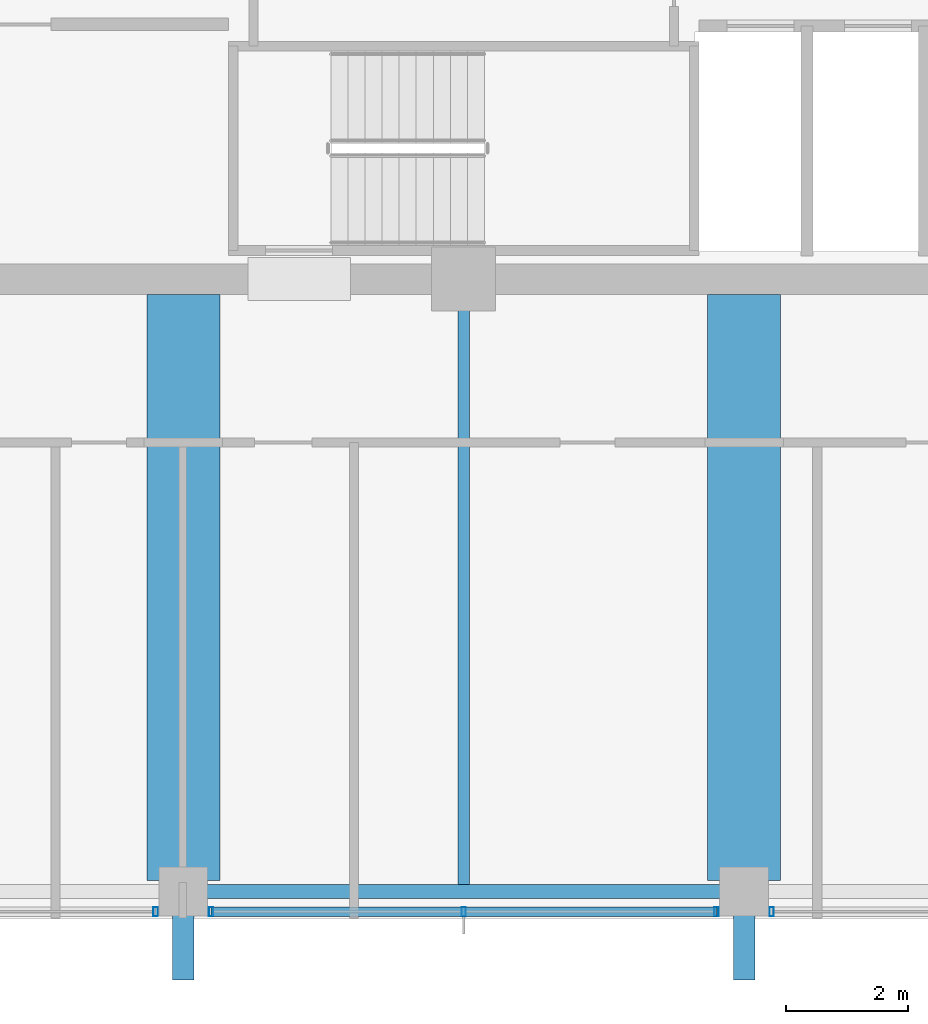
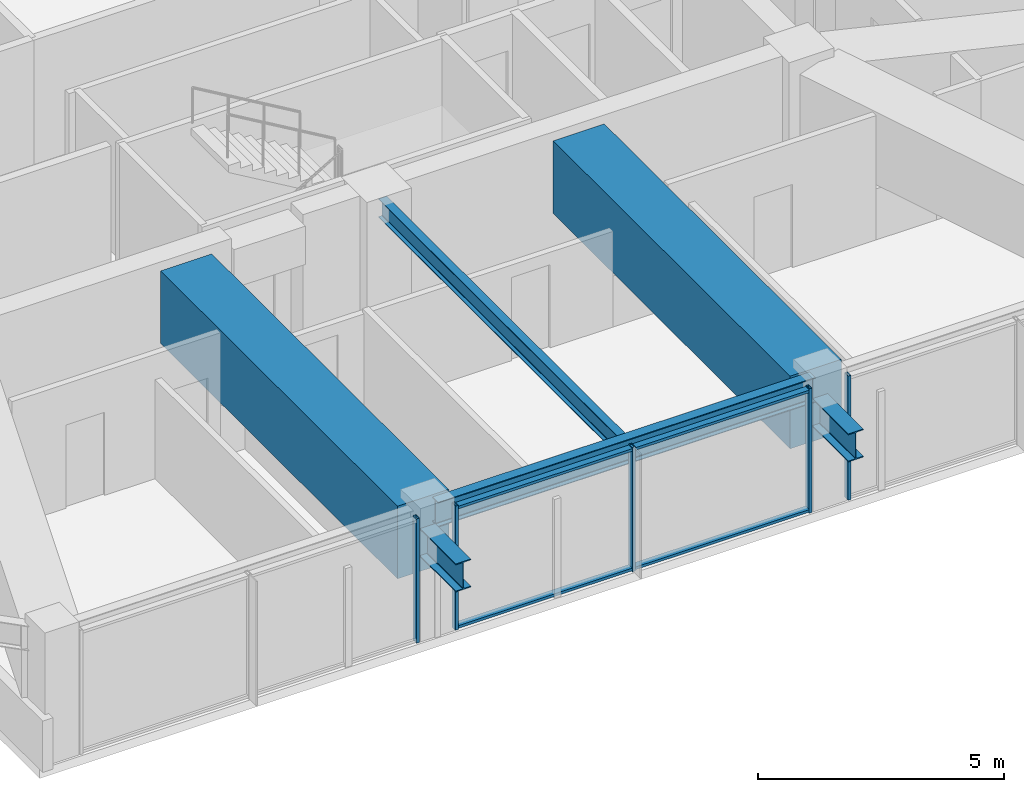
# One storey, part 5 of 35: 7 members, 6 beams, 3 elements without a shape of their own.
"""IFC4 building model written with IfcOpenShell, lengths in metres."""

import ifcopenshell
import ifcopenshell.guid

model = None  # the IFC model being written
_history = None  # IfcOwnerHistory: only IFC2X3 demands one
_inside = {}  # id of a spatial element -> (the spatial element, [elements in it])
_under = {}  # id of a project, library or spatial element -> (it, [spatial elements below it])
_declared = {}  # id of a project -> (the project, [libraries it declares])
_typed = {}  # id of a type object -> (the type object, [elements of that type])
_made_of = {}  # id of a material, layer set ... -> (it, [elements and type objects made of it])


def new_model(schema):
    """Start an empty IFC model of exactly this schema.

    Asked for "IFC4X3", IfcOpenShell would pick the latest addendum, in which some entities
    have other attributes; the version numbers below select the first issue.
    IFC2X3 requires an IfcOwnerHistory on every rooted entity: one is made here for all.
    """
    global model, _history
    if schema == "IFC4X3":
        model = ifcopenshell.file(schema_version=(4, 3, 0, 0))
    else:
        model = ifcopenshell.file(schema=schema)
    _inside.clear()
    _under.clear()
    _declared.clear()
    _typed.clear()
    _made_of.clear()
    _history = None
    if model.schema == "IFC2X3":
        org = make("IfcOrganization", Name="unknown")
        user = make(
            "IfcPersonAndOrganization",
            ThePerson=make("IfcPerson", FamilyName="unknown"),
            TheOrganization=org,
        )
        app = make(
            "IfcApplication",
            ApplicationDeveloper=org,
            Version="unknown",
            ApplicationFullName="unknown",
            ApplicationIdentifier="unknown",
        )
        _history = make(
            "IfcOwnerHistory",
            OwningUser=user,
            OwningApplication=app,
            ChangeAction="ADDED",
            CreationDate=0,
        )
    return model


def make(cls, **values):
    """One entity of the class cls with the attributes given. An attribute that is None is left unset."""
    return model.create_entity(
        cls, **{name: value for name, value in values.items() if value is not None}
    )


def rooted(cls, **values):
    """An entity with a GlobalId (a new one), such as an element, a storey or a relation."""
    return make(cls, GlobalId=ifcopenshell.guid.new(), OwnerHistory=_history, **values)


def si_unit(unit_type, name, prefix=None):
    """IfcSIUnit, for example si_unit("LENGTHUNIT", "METRE", prefix="MILLI")."""
    return make("IfcSIUnit", UnitType=unit_type, Prefix=prefix, Name=name)


def assignment(units):
    """IfcUnitAssignment: the units of a project."""
    return None if units is None else make("IfcUnitAssignment", Units=units)


def point(xyz):
    """IfcCartesianPoint."""
    return None if xyz is None else make("IfcCartesianPoint", Coordinates=xyz)


def direction(xyz):
    """IfcDirection."""
    return None if xyz is None else make("IfcDirection", DirectionRatios=xyz)


def frame(location, z_axis=None, x_axis=None):
    """IfcAxis2Placement3D, a coordinate frame: its origin and axes. An axis left out is left unset."""
    return make(
        "IfcAxis2Placement3D",
        Location=point(location),
        Axis=direction(z_axis),
        RefDirection=direction(x_axis),
    )


def frame_2d(location, x_axis=None):
    """IfcAxis2Placement2D, a coordinate frame in the plane: its origin and x axis."""
    return make(
        "IfcAxis2Placement2D", Location=point(location), RefDirection=direction(x_axis)
    )


def origin():
    """The frame at (0, 0, 0) with its axes left unset."""
    return frame((0.0, 0.0, 0.0))


def origin_2d():
    """The frame at (0, 0) in the plane with its x axis left unset."""
    return frame_2d((0.0, 0.0))


def place(relative_to, where):
    """IfcLocalPlacement: puts the frame where relative to a parent placement (None: the world)."""
    return make(
        "IfcLocalPlacement", PlacementRelTo=relative_to, RelativePlacement=where
    )


def context(
    kind, dimensions, precision=None, world=None, true_north=None, identifier=None
):
    """IfcGeometricRepresentationContext, for example the 3D "Model" context."""
    return make(
        "IfcGeometricRepresentationContext",
        ContextIdentifier=identifier,
        ContextType=kind,
        CoordinateSpaceDimension=dimensions,
        Precision=precision,
        WorldCoordinateSystem=world,
        TrueNorth=true_north,
    )


def subcontext(parent, identifier, kind, view, scale=None):
    """IfcGeometricRepresentationSubContext, for example "Body" below "Model"."""
    return make(
        "IfcGeometricRepresentationSubContext",
        ContextIdentifier=identifier,
        ContextType=kind,
        ParentContext=parent,
        TargetScale=scale,
        TargetView=view,
    )


def project(units=None, contexts=None):
    """IfcProject with its units and contexts."""
    return rooted(
        "IfcProject",
        Name="project",
        RepresentationContexts=contexts,
        UnitsInContext=assignment(units),
    )


def spatial(cls, under=None, at=None, **own):
    """A site, building, storey or space (cls), placed at a placement, below another one or the project."""
    s = rooted(cls, ObjectPlacement=at, **own)
    if under is not None:
        _under.setdefault(under.id(), (under, []))[1].append(s)
    return s


def profile(cls, at=None, kind="AREA", **sizes):
    """A parametric profile (cls). Its sizes go by their IFC names, for example OverallWidth=200.0."""
    return make(cls, ProfileType=kind, Position=at, **sizes)


def rectangle(**sizes):
    """IfcRectangleProfileDef."""
    return profile("IfcRectangleProfileDef", **sizes)


def hollow_rectangle(**sizes):
    """IfcRectangleHollowProfileDef."""
    return profile("IfcRectangleHollowProfileDef", **sizes)


def i_section(**sizes):
    """IfcIShapeProfileDef."""
    return profile("IfcIShapeProfileDef", **sizes)


def extrude(swept, where, along, depth):
    """IfcExtrudedAreaSolid: the profile swept, set in the frame where, extruded along a direction by depth."""
    return make(
        "IfcExtrudedAreaSolid",
        SweptArea=swept,
        Position=where,
        ExtrudedDirection=direction(along),
        Depth=depth,
    )


def shape(context_of_items, identifier, shape_type, items):
    """IfcShapeRepresentation: the items that make up one representation, for example the "Body"."""
    return make(
        "IfcShapeRepresentation",
        ContextOfItems=context_of_items,
        RepresentationIdentifier=identifier,
        RepresentationType=shape_type,
        Items=items,
    )


def material(Name=None, Category=None):
    """IfcMaterial."""
    return make("IfcMaterial", Name=Name, Category=Category)


def material_profile(
    of_material, cross_section, Name=None, Category=None, Priority=None
):
    """IfcMaterialProfile: a cross section and its material."""
    return make(
        "IfcMaterialProfile",
        Name=Name,
        Material=of_material,
        Profile=cross_section,
        Priority=Priority,
        Category=Category,
    )


def profile_set(profiles, Name=None, composite=None):
    """IfcMaterialProfileSet."""
    return make(
        "IfcMaterialProfileSet",
        Name=Name,
        MaterialProfiles=profiles,
        CompositeProfile=composite,
    )


def made_of(thing, what):
    """Note that an element or type object is made of a material, layer set ...; save() writes the relation."""
    if what is not None:
        _made_of.setdefault(what.id(), (what, []))[1].append(thing)
    return thing


def type_object(cls, material=None, **own):
    """A type object (cls), such as IfcWallType, which elements share."""
    return made_of(rooted(cls, **own), material)


def element(
    cls,
    number,
    at=None,
    inside=None,
    cuts=None,
    type_object=None,
    material=None,
    context=None,
    identifier="Body",
    shape_type=None,
    held_by="IfcProductDefinitionShape",
    body=None,
    shapes=None,
    **own,
):
    """One element of the class cls, such as IfcWall. Its Tag is "e" and its number.

    at: its placement. inside: the storey or other place that contains it. cuts: it is an
    opening in that element (IfcRelVoidsElement). A single representation is given by context,
    identifier, shape_type and body (its items); several are given by shapes. held_by: the class
    of the entity that holds the representations. save() writes the other relations.
    """
    e = rooted(cls, Tag="e%d" % number, ObjectPlacement=at, **own)
    if body is not None:
        shapes = [shape(context, identifier, shape_type, body)]
    if shapes is not None:
        e.Representation = make(held_by, Representations=shapes)
    if inside is not None:
        _inside.setdefault(inside.id(), (inside, []))[1].append(e)
    if cuts is not None:
        rooted(
            "IfcRelVoidsElement", RelatingBuildingElement=cuts, RelatedOpeningElement=e
        )
    if type_object is not None:
        _typed.setdefault(type_object.id(), (type_object, []))[1].append(e)
    return made_of(e, material)


def aggregate(whole, parts):
    """IfcRelAggregates: a whole, such as a stair, and the parts it consists of."""
    return rooted("IfcRelAggregates", RelatingObject=whole, RelatedObjects=parts)


def save(model, path):
    """Write the relations noted so far, then the file.

    IfcRelAggregates (storeys below a building ...), IfcRelContainedInSpatialStructure (elements
    in a storey), IfcRelDefinesByType, IfcRelAssociatesMaterial and IfcRelDeclares: one each for
    every whole, place, type object, material and project.
    """
    for whole, parts in _under.values():
        aggregate(whole, parts)
    for where, things in _inside.values():
        rooted(
            "IfcRelContainedInSpatialStructure",
            RelatedElements=things,
            RelatingStructure=where,
        )
    for kind, things in _typed.values():
        rooted("IfcRelDefinesByType", RelatedObjects=things, RelatingType=kind)
    for what, things in _made_of.values():
        rooted("IfcRelAssociatesMaterial", RelatedObjects=things, RelatingMaterial=what)
    for by, libraries in _declared.values():
        rooted("IfcRelDeclares", RelatingContext=by, RelatedDefinitions=libraries)
    model.write(path)


model = new_model("IFC4")

# Units and contexts
model_context = context("Model", 3, precision=1e-05, world=origin(), true_north=direction((0.0, 1.0)))
body_context = subcontext(model_context, "Body", "Model", "MODEL_VIEW")
ifc_project = project(units=[si_unit("LENGTHUNIT", "METRE"), si_unit("AREAUNIT", "SQUARE_METRE"), si_unit("VOLUMEUNIT", "CUBIC_METRE"), si_unit("PLANEANGLEUNIT", "RADIAN"), si_unit("MASSUNIT", "GRAM", prefix="KILO")], contexts=[model_context])

# Site, building, storey
site_placement = place(None, origin())
site = spatial("IfcSite", under=ifc_project, at=site_placement, CompositionType="ELEMENT")
building_placement = place(site_placement, origin())
building = spatial("IfcBuilding", under=site, at=building_placement, Name="Kolvaren Belvedere", CompositionType="ELEMENT")
storey_placement = place(building_placement, frame((0.0, 0.0, 203.10009765625)))
storey = spatial("IfcBuildingStorey", under=building, at=storey_placement, Name="L59", CompositionType="ELEMENT", Elevation=203.10009765625)

# Beams
ifc_material_1 = material(Name="Structural steel ASTM A992 Grade 50", Category="steel")
ifc_material_profile_1 = material_profile(ifc_material_1, i_section(OverallWidth=0.35498046875, OverallDepth=0.696044921875, WebThickness=0.015380859375, FlangeThickness=0.02490234375, FilletRadius=0.02197265625, at=origin_2d()), Name="W27X146")
ifc_profile_set_1 = profile_set([ifc_material_profile_1], Name="Structural steel ASTM A992 Grade 50")
beam_type_1 = type_object("IfcBeamType", Name="BM-CANT-BAL", PredefinedType="BEAM", material=ifc_profile_set_1)
for number, where, z_axis, x_axis, name in (
    (1, (4.60009765625, -19.949951171875, 2.141845703125), (0.0, -1.0, 0.0), (1.0, 0.0, 0.0), "L59 South Picture-Frame Column Corbel P"),
    (2, (-4.60009765625, -19.949951171875, 2.141845703125), (0.0, -1.0, 0.0), (1.0, 0.0, 0.0), "L59 South Picture-Frame Column Corbel M"),
):
    element("IfcBeam", number, at=place(storey_placement, frame(where, z_axis=z_axis, x_axis=x_axis)), inside=storey, type_object=beam_type_1, Name=name, PredefinedType="BEAM", context=body_context, shape_type="SweptSolid", body=[
        extrude(i_section(OverallWidth=0.35498046875, OverallDepth=0.696044921875, WebThickness=0.015380859375, FlangeThickness=0.02490234375, FilletRadius=0.02197265625, at=origin_2d()), origin(), (0.0, 0.0, 1.0), 1.449951171875),
    ])
ifc_material_2 = material(Name="Structural steel ASTM A992 Grade 50", Category="steel")
ifc_material_profile_2 = material_profile(ifc_material_2, i_section(OverallWidth=0.19091796875, OverallDepth=0.4599609375, WebThickness=0.010009765625, FlangeThickness=0.01611328125, FilletRadius=0.014892578125, at=origin_2d()), Name="W18X55")
ifc_profile_set_2 = profile_set([ifc_material_profile_2], Name="Structural steel ASTM A992 Grade 50")
beam_type_2 = type_object("IfcBeamType", Name="BM-JOIST-W18X55", PredefinedType="BEAM", material=ifc_profile_set_2)
beam_1_placement = place(storey_placement, frame((0.0, -10.14990234375, 2.849853515625), z_axis=(0.0, -1.0, 0.0), x_axis=(1.0, 0.0, 0.0)))
element("IfcBeam", 3, at=beam_1_placement, inside=storey, type_object=beam_type_2, Name="L59 South Centre Floor Beam", PredefinedType="BEAM", context=body_context, shape_type="SweptSolid", body=[
    extrude(i_section(OverallWidth=0.19091796875, OverallDepth=0.4599609375, WebThickness=0.010009765625, FlangeThickness=0.01611328125, FilletRadius=0.014892578125, at=origin_2d()), origin(), (0.0, 0.0, 1.0), 9.685546875),
])
ifc_material_3 = material(Name="Structural steel ASTM A992 Grade 50", Category="steel")
ifc_material_profile_3 = material_profile(ifc_material_3, i_section(OverallWidth=0.22900390625, OverallDepth=0.612060546875, WebThickness=0.011962890625, FlangeThickness=0.01953125, FilletRadius=0.01806640625, at=origin_2d()), Name="W24X84")
ifc_profile_set_3 = profile_set([ifc_material_profile_3], Name="Structural steel ASTM A992 Grade 50")
beam_type_3 = type_object("IfcBeamType", Name="BM-SPAN-W24X84", PredefinedType="SPANDREL", material=ifc_profile_set_3)
beam_2_placement = place(storey_placement, frame((-4.419921875, -19.949951171875, 2.77392578125), z_axis=(1.0, 0.0, 0.0), x_axis=(0.0, 1.0, 0.0)))
element("IfcBeam", 4, at=beam_2_placement, inside=storey, type_object=beam_type_3, Name="L59 Perimeter Spandrel S2-S3", PredefinedType="SPANDREL", context=body_context, shape_type="SweptSolid", body=[
    extrude(i_section(OverallWidth=0.22900390625, OverallDepth=0.612060546875, WebThickness=0.011962890625, FlangeThickness=0.01953125, FilletRadius=0.01806640625, at=origin_2d()), origin(), (0.0, 0.0, 1.0), 8.83984375),
])
ifc_material_4 = material(Name="Concrete C50/60", Category="concrete")
ifc_material_profile_4 = material_profile(ifc_material_4, rectangle(XDim=1.199951171875, YDim=1.800048828125, at=origin_2d()), Name="RC 1200X1800")
ifc_profile_set_4 = profile_set([ifc_material_profile_4], Name="Concrete C50/60")
beam_type_4 = type_object("IfcBeamType", Name="BM-TG-1800", PredefinedType="BEAM", material=ifc_profile_set_4)
for number, where, z_axis, x_axis, name in (
    (5, (4.60009765625, -10.14990234375, 2.179931640625), (0.0, -1.0, 0.0), (1.0, 0.0, 0.0), "L59 South Radial Girder P"),
    (6, (-4.60009765625, -10.14990234375, 2.179931640625), (0.0, -1.0, 0.0), (1.0, 0.0, 0.0), "L59 South Radial Girder M"),
):
    element("IfcBeam", number, at=place(storey_placement, frame(where, z_axis=z_axis, x_axis=x_axis)), inside=storey, type_object=beam_type_4, Name=name, PredefinedType="BEAM", context=body_context, shape_type="SweptSolid", body=[
        extrude(rectangle(XDim=1.199951171875, YDim=1.800048828125, at=origin_2d()), origin(), (0.0, 0.0, 1.0), 9.6201171875),
    ])

# Curtain wall, member
ifc_material_5 = material(Name="Anodised pale-metal aluminium AA 6063-T6", Category="aluminium")
curtain_wall_type = type_object("IfcCurtainWallType", Name="CW-Z5-HIGH", PredefinedType="NOTDEFINED", material=ifc_material_5)
curtain_wall_1_placement = place(storey_placement, origin())
curtain_wall_1 = element("IfcCurtainWall", 7, at=curtain_wall_1_placement, inside=storey, type_object=curtain_wall_type, Name="L59 Unitised Curtain Wall FCW-L59-S-B1", PredefinedType="NOTDEFINED")
ifc_material_6 = material(Name="Anodised pale-metal aluminium AA 6063-T6", Category="aluminium")
ifc_material_profile_5 = material_profile(ifc_material_6, hollow_rectangle(XDim=0.070068359375, YDim=0.14990234375, WallThickness=0.004150390625, at=origin_2d()), Name="ALU-MUL-150X70")
ifc_profile_set_5 = profile_set([ifc_material_profile_5], Name="Anodised pale-metal aluminium AA 6063-T6")
member_type_1 = type_object("IfcMemberType", Name="CW-MUL-150", PredefinedType="MULLION", material=ifc_profile_set_5)
member_1_placement = place(storey_placement, frame((5.054931640625, -20.280029296875, 0.0), z_axis=(0.0, 0.0, 1.0), x_axis=(1.0, 0.0, 0.0)))
member_1 = element("IfcMember", 8, at=member_1_placement, type_object=member_type_1, Name="FCW-L59-S-B1 Unitised Mullion 3", PredefinedType="MULLION", context=body_context, shape_type="SweptSolid", body=[
    extrude(hollow_rectangle(XDim=0.070068359375, YDim=0.14990234375, WallThickness=0.004150390625, at=origin_2d()), origin(), (0.0, 0.0, 1.0), 3.079833984375),
])
aggregate(curtain_wall_1, [member_1])

# Curtain wall, members
curtain_wall_2_placement = place(storey_placement, origin())
curtain_wall_2 = element("IfcCurtainWall", 9, at=curtain_wall_2_placement, inside=storey, type_object=curtain_wall_type, Name="L59 Unitised Curtain Wall FCW-L59-S-B2", PredefinedType="NOTDEFINED")
member_2_placement = place(storey_placement, frame((4.14501953125, -20.280029296875, 0.0), z_axis=(0.0, 0.0, 1.0), x_axis=(1.0, 0.0, 0.0)))
member_2 = element("IfcMember", 10, at=member_2_placement, type_object=member_type_1, Name="FCW-L59-S-B2 Unitised Mullion 1", PredefinedType="MULLION", context=body_context, shape_type="SweptSolid", body=[
    extrude(hollow_rectangle(XDim=0.070068359375, YDim=0.14990234375, WallThickness=0.004150390625, at=origin_2d()), origin(), (0.0, 0.0, 1.0), 3.079833984375),
])
member_3_placement = place(storey_placement, frame((0.0, -20.280029296875, 0.0), z_axis=(0.0, 0.0, 1.0), x_axis=(1.0, 0.0, 0.0)))
member_3 = element("IfcMember", 11, at=member_3_placement, type_object=member_type_1, Name="FCW-L59-S-B2 Unitised Mullion 2", PredefinedType="MULLION", context=body_context, shape_type="SweptSolid", body=[
    extrude(hollow_rectangle(XDim=0.070068359375, YDim=0.14990234375, WallThickness=0.004150390625, at=origin_2d()), origin(), (0.0, 0.0, 1.0), 3.079833984375),
])
member_4_placement = place(storey_placement, frame((-4.14501953125, -20.280029296875, 0.0), z_axis=(0.0, 0.0, 1.0), x_axis=(1.0, 0.0, 0.0)))
member_4 = element("IfcMember", 12, at=member_4_placement, type_object=member_type_1, Name="FCW-L59-S-B2 Unitised Mullion 3", PredefinedType="MULLION", context=body_context, shape_type="SweptSolid", body=[
    extrude(hollow_rectangle(XDim=0.070068359375, YDim=0.14990234375, WallThickness=0.004150390625, at=origin_2d()), origin(), (0.0, 0.0, 1.0), 3.079833984375),
])

# Curtain wall, member
curtain_wall_3_placement = place(storey_placement, origin())
curtain_wall_3 = element("IfcCurtainWall", 13, at=curtain_wall_3_placement, inside=storey, type_object=curtain_wall_type, Name="L59 Unitised Curtain Wall FCW-L59-S-B3", PredefinedType="NOTDEFINED")
member_5_placement = place(storey_placement, frame((-5.054931640625, -20.280029296875, 0.0), z_axis=(0.0, 0.0, 1.0), x_axis=(1.0, 0.0, 0.0)))
member_5 = element("IfcMember", 14, at=member_5_placement, type_object=member_type_1, Name="FCW-L59-S-B3 Unitised Mullion 1", PredefinedType="MULLION", context=body_context, shape_type="SweptSolid", body=[
    extrude(hollow_rectangle(XDim=0.070068359375, YDim=0.14990234375, WallThickness=0.004150390625, at=origin_2d()), origin(), (0.0, 0.0, 1.0), 3.079833984375),
])
aggregate(curtain_wall_3, [member_5])

# Member
ifc_material_7 = material(Name="Anodised pale-metal aluminium AA 6063-T6", Category="aluminium")
ifc_material_profile_6 = material_profile(ifc_material_7, hollow_rectangle(XDim=0.06494140625, YDim=0.14990234375, WallThickness=0.00390625, at=origin_2d()), Name="ALU-TRN-150X65")
ifc_profile_set_6 = profile_set([ifc_material_profile_6], Name="Anodised pale-metal aluminium AA 6063-T6")
member_type_2 = type_object("IfcMemberType", Name="CW-TRN-150", PredefinedType="USERDEFINED", material=ifc_profile_set_6)
member_6_placement = place(storey_placement, frame((4.14501953125, -20.280029296875, 0.059814453125), z_axis=(-1.0, 0.0, 0.0), x_axis=(0.0, 0.0, 1.0)))
member_6 = element("IfcMember", 15, at=member_6_placement, type_object=member_type_2, Name="FCW-L59-S-B2 Sill Transom", ObjectType="TRANSOM", PredefinedType="USERDEFINED", context=body_context, shape_type="SweptSolid", body=[
    extrude(hollow_rectangle(XDim=0.06494140625, YDim=0.14990234375, WallThickness=0.00390625, at=origin_2d()), origin(), (0.0, 0.0, 1.0), 8.2900390625),
])

member_7_placement = place(storey_placement, frame((4.14501953125, -20.280029296875, 3.02001953125), z_axis=(-1.0, 0.0, 0.0), x_axis=(0.0, 0.0, 1.0)))
member_7 = element("IfcMember", 16, at=member_7_placement, type_object=member_type_2, Name="FCW-L59-S-B2 Head Transom", ObjectType="TRANSOM", PredefinedType="USERDEFINED", context=body_context, shape_type="SweptSolid", body=[
    extrude(hollow_rectangle(XDim=0.06494140625, YDim=0.14990234375, WallThickness=0.00390625, at=origin_2d()), origin(), (0.0, 0.0, 1.0), 8.2900390625),
])

aggregate(curtain_wall_2, [member_2, member_3, member_4, member_6, member_7])

save(model, "model.ifc")
